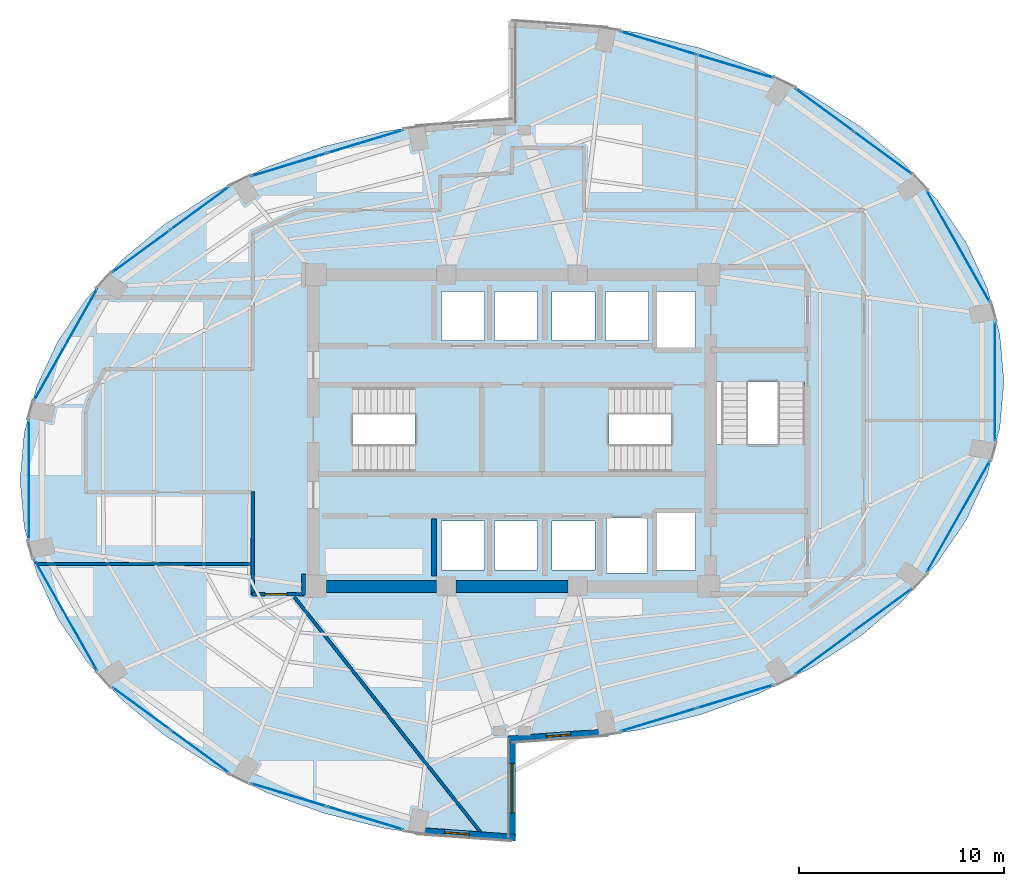
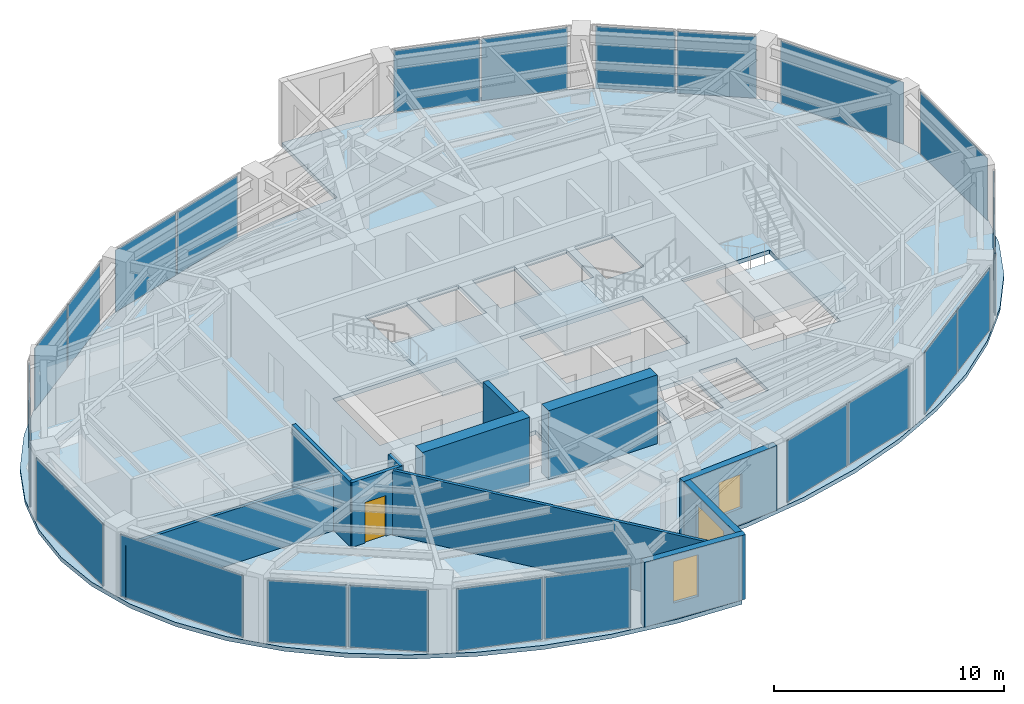
# One storey, part 15 of 20: 22 plates, 11 walls, 4 slabs, 3 windows, 1 door, 4 openings, 17 elements without a shape of their own.
"""IFC4 building model written with IfcOpenShell, lengths in metres."""

from ifc_helpers import new_model, si_unit, direction, frame, frame_2d, origin, origin_2d, place, context, subcontext, project, spatial, polyline, rectangle, outline, extrude, material, layer, layer_set, type_object, element, fill, aggregate, save


model = new_model("IFC4")

# Units and contexts
model_context = context("Model", 3, precision=1e-05, world=origin(), true_north=direction((0.0, 1.0)))
body_context = subcontext(model_context, "Body", "Model", "MODEL_VIEW")
ifc_project = project(units=[si_unit("LENGTHUNIT", "METRE"), si_unit("AREAUNIT", "SQUARE_METRE"), si_unit("VOLUMEUNIT", "CUBIC_METRE"), si_unit("PLANEANGLEUNIT", "RADIAN"), si_unit("MASSUNIT", "GRAM", prefix="KILO")], contexts=[model_context])

# Site, building, storey
site_placement = place(None, origin())
site = spatial("IfcSite", under=ifc_project, at=site_placement, CompositionType="ELEMENT")
building_placement = place(site_placement, origin())
building = spatial("IfcBuilding", under=site, at=building_placement, Name="Lazwardi Medical Tower", CompositionType="ELEMENT")
storey_placement = place(building_placement, frame((0.0, 0.0, 149.23193359375)))
storey = spatial("IfcBuildingStorey", under=building, at=storey_placement, Name="L38", CompositionType="ELEMENT", Elevation=149.23193359375)

# Curtain wall, plates
ifc_material_1 = material(Name="Anodised bronze aluminium and solar control glazing", Category="aluminium")
ifc_layer_1 = layer(ifc_material_1, 0.195068359375)
ifc_layer_set_1 = layer_set([ifc_layer_1], Name="Anodised bronze aluminium and solar control glazing")
curtain_wall_type = type_object("IfcCurtainWallType", Name="CW-SYS-03", PredefinedType="NOTDEFINED", material=ifc_layer_set_1)
curtain_wall_1_placement = place(storey_placement, origin())
curtain_wall_1 = element("IfcCurtainWall", 1, at=curtain_wall_1_placement, inside=storey, type_object=curtain_wall_type, Name="L38 Unitised bronze curtain wall CW-03", PredefinedType="NOTDEFINED")
ifc_material_2 = material(Name="Low-e bronze solar control double glazing", Category="glass")
ifc_layer_2 = layer(ifc_material_2, 0.035888671875)
ifc_layer_set_2 = layer_set([ifc_layer_2], Name="Low-e bronze solar control double glazing")
plate_type = type_object("IfcPlateType", Name="PLT-GLZ-01", PredefinedType="CURTAIN_PANEL", material=ifc_layer_set_2)
plate_1_placement = place(storey_placement, frame((43.1435546875, 13.8935546875, 0.0751953125), z_axis=(0.0, 0.0, 1.0), x_axis=(0.956941516292, 0.290280785441, 0.0)))
plate_1 = element("IfcPlate", 2, at=plate_1_placement, type_object=plate_type, Name="CW-03 panel 1.1", PredefinedType="CURTAIN_PANEL", context=body_context, shape_type="SweptSolid", body=[
    extrude(rectangle(XDim=3.83642578125, YDim=0.035888671875, at=origin_2d()), origin(), (0.0, 0.0, 1.0), 3.278076171875),
])
plate_2_placement = place(storey_placement, frame((46.88671875, 15.029052734375, 0.0751953125), z_axis=(0.0, 0.0, 1.0), x_axis=(0.956941516292, 0.290280785441, 0.0)))
plate_2 = element("IfcPlate", 3, at=plate_2_placement, type_object=plate_type, Name="CW-03 panel 2.1", PredefinedType="CURTAIN_PANEL", context=body_context, shape_type="SweptSolid", body=[
    extrude(rectangle(XDim=3.83642578125, YDim=0.035888671875, at=origin_2d()), origin(), (0.0, 0.0, 1.0), 3.278076171875),
])
aggregate(curtain_wall_1, [plate_1, plate_2])

curtain_wall_2_placement = place(storey_placement, origin())
curtain_wall_2 = element("IfcCurtainWall", 4, at=curtain_wall_2_placement, inside=storey, type_object=curtain_wall_type, Name="L38 Unitised bronze curtain wall CW-03", PredefinedType="NOTDEFINED")
plate_3_placement = place(storey_placement, frame((51.2265625, 17.153076171875, 0.0751953125), z_axis=(0.0, 0.0, 1.0), x_axis=(0.806793249082, 0.590833862635, 0.0)))
plate_3 = element("IfcPlate", 5, at=plate_3_placement, type_object=plate_type, Name="CW-03 panel 1.1", PredefinedType="CURTAIN_PANEL", context=body_context, shape_type="SweptSolid", body=[
    extrude(rectangle(XDim=3.472412109375, YDim=0.035888671875, at=origin_2d()), origin(), (0.0, 0.0, 1.0), 3.278076171875),
])
plate_4_placement = place(storey_placement, frame((54.088623046875, 19.2490234375, 0.0751953125), z_axis=(0.0, 0.0, 1.0), x_axis=(0.806793249082, 0.590833862635, 0.0)))
plate_4 = element("IfcPlate", 6, at=plate_4_placement, type_object=plate_type, Name="CW-03 panel 2.1", PredefinedType="CURTAIN_PANEL", context=body_context, shape_type="SweptSolid", body=[
    extrude(rectangle(XDim=3.472412109375, YDim=0.035888671875, at=origin_2d()), origin(), (0.0, 0.0, 1.0), 3.278076171875),
])
aggregate(curtain_wall_2, [plate_3, plate_4])

# Curtain wall, plate
curtain_wall_3_placement = place(storey_placement, origin())
curtain_wall_3 = element("IfcCurtainWall", 7, at=curtain_wall_3_placement, inside=storey, type_object=curtain_wall_type, Name="L38 Unitised bronze curtain wall CW-03", PredefinedType="NOTDEFINED")
plate_5_placement = place(storey_placement, frame((57.764404296875, 23.798095703125, 0.0751953125), z_axis=(0.0, 0.0, 1.0), x_axis=(0.492311672683, 0.870418989303, 0.0)))
plate_5 = element("IfcPlate", 8, at=plate_5_placement, type_object=plate_type, Name="CW-03 panel 1.1", PredefinedType="CURTAIN_PANEL", context=body_context, shape_type="SweptSolid", body=[
    extrude(rectangle(XDim=6.208740234375, YDim=0.035888671875, at=origin_2d()), origin(), (0.0, 0.0, 1.0), 3.278076171875),
])
aggregate(curtain_wall_3, [plate_5])

curtain_wall_4_placement = place(storey_placement, origin())
curtain_wall_4 = element("IfcCurtainWall", 9, at=curtain_wall_4_placement, inside=storey, type_object=curtain_wall_type, Name="L38 Unitised bronze curtain wall CW-03", PredefinedType="NOTDEFINED")
plate_6_placement = place(storey_placement, frame((59.5576171875, 30.39990234375, 0.0751953125), z_axis=(0.0, 0.0, 1.0), x_axis=(0.0, 1.0, 0.0)))
plate_6 = element("IfcPlate", 10, at=plate_6_placement, type_object=plate_type, Name="CW-03 panel 1.1", PredefinedType="CURTAIN_PANEL", context=body_context, shape_type="SweptSolid", body=[
    extrude(rectangle(XDim=5.8408203125, YDim=0.035888671875, at=origin_2d()), origin(), (0.0, 0.0, 1.0), 3.278076171875),
])
aggregate(curtain_wall_4, [plate_6])

curtain_wall_5_placement = place(storey_placement, origin())
curtain_wall_5 = element("IfcCurtainWall", 11, at=curtain_wall_5_placement, inside=storey, type_object=curtain_wall_type, Name="L38 Unitised bronze curtain wall CW-03", PredefinedType="NOTDEFINED")
plate_7_placement = place(storey_placement, frame((57.764404296875, 37.001953125, 0.0751953125), z_axis=(0.0, 0.0, 1.0), x_axis=(-0.492311672683, 0.870418989303, 0.0)))
plate_7 = element("IfcPlate", 12, at=plate_7_placement, type_object=plate_type, Name="CW-03 panel 1.1", PredefinedType="CURTAIN_PANEL", context=body_context, shape_type="SweptSolid", body=[
    extrude(rectangle(XDim=6.208740234375, YDim=0.035888671875, at=origin_2d()), origin(), (0.0, 0.0, 1.0), 3.278076171875),
])
aggregate(curtain_wall_5, [plate_7])

# Curtain wall, plates
curtain_wall_6_placement = place(storey_placement, origin())
curtain_wall_6 = element("IfcCurtainWall", 13, at=curtain_wall_6_placement, inside=storey, type_object=curtain_wall_type, Name="L38 Unitised bronze curtain wall CW-03", PredefinedType="NOTDEFINED")
plate_8_placement = place(storey_placement, frame((54.088623046875, 41.551025390625, 0.0751953125), z_axis=(0.0, 0.0, 1.0), x_axis=(-0.806793249082, 0.590833862635, 0.0)))
plate_8 = element("IfcPlate", 14, at=plate_8_placement, type_object=plate_type, Name="CW-03 panel 1.1", PredefinedType="CURTAIN_PANEL", context=body_context, shape_type="SweptSolid", body=[
    extrude(rectangle(XDim=3.472412109375, YDim=0.035888671875, at=origin_2d()), origin(), (0.0, 0.0, 1.0), 3.278076171875),
])
plate_9_placement = place(storey_placement, frame((51.2265625, 43.64697265625, 0.0751953125), z_axis=(0.0, 0.0, 1.0), x_axis=(-0.806793249082, 0.590833862635, 0.0)))
plate_9 = element("IfcPlate", 15, at=plate_9_placement, type_object=plate_type, Name="CW-03 panel 2.1", PredefinedType="CURTAIN_PANEL", context=body_context, shape_type="SweptSolid", body=[
    extrude(rectangle(XDim=3.472412109375, YDim=0.035888671875, at=origin_2d()), origin(), (0.0, 0.0, 1.0), 3.278076171875),
])
aggregate(curtain_wall_6, [plate_8, plate_9])

curtain_wall_7_placement = place(storey_placement, origin())
curtain_wall_7 = element("IfcCurtainWall", 16, at=curtain_wall_7_placement, inside=storey, type_object=curtain_wall_type, Name="L38 Unitised bronze curtain wall CW-03", PredefinedType="NOTDEFINED")
plate_10_placement = place(storey_placement, frame((46.88671875, 45.77099609375, 0.0751953125), z_axis=(0.0, 0.0, 1.0), x_axis=(-0.956941516292, 0.290280785441, 0.0)))
plate_10 = element("IfcPlate", 17, at=plate_10_placement, type_object=plate_type, Name="CW-03 panel 1.1", PredefinedType="CURTAIN_PANEL", context=body_context, shape_type="SweptSolid", body=[
    extrude(rectangle(XDim=3.83642578125, YDim=0.035888671875, at=origin_2d()), origin(), (0.0, 0.0, 1.0), 3.278076171875),
])
plate_11_placement = place(storey_placement, frame((43.1435546875, 46.906494140625, 0.0751953125), z_axis=(0.0, 0.0, 1.0), x_axis=(-0.956941516292, 0.290280785441, 0.0)))
plate_11 = element("IfcPlate", 18, at=plate_11_placement, type_object=plate_type, Name="CW-03 panel 2.1", PredefinedType="CURTAIN_PANEL", context=body_context, shape_type="SweptSolid", body=[
    extrude(rectangle(XDim=3.83642578125, YDim=0.035888671875, at=origin_2d()), origin(), (0.0, 0.0, 1.0), 3.278076171875),
])
aggregate(curtain_wall_7, [plate_10, plate_11])

curtain_wall_8_placement = place(storey_placement, origin())
curtain_wall_8 = element("IfcCurtainWall", 19, at=curtain_wall_8_placement, inside=storey, type_object=curtain_wall_type, Name="L38 Unitised bronze curtain wall CW-03", PredefinedType="NOTDEFINED")
plate_12_placement = place(storey_placement, frame((28.8564453125, 42.1064453125, 0.0751953125), z_axis=(0.0, 0.0, 1.0), x_axis=(-0.956941516292, -0.290280785441, 0.0)))
plate_12 = element("IfcPlate", 20, at=plate_12_placement, type_object=plate_type, Name="CW-03 panel 1.1", PredefinedType="CURTAIN_PANEL", context=body_context, shape_type="SweptSolid", body=[
    extrude(rectangle(XDim=3.83642578125, YDim=0.035888671875, at=origin_2d()), origin(), (0.0, 0.0, 1.0), 3.278076171875),
])
plate_13_placement = place(storey_placement, frame((25.11328125, 40.970947265625, 0.0751953125), z_axis=(0.0, 0.0, 1.0), x_axis=(-0.956941516292, -0.290280785441, 0.0)))
plate_13 = element("IfcPlate", 21, at=plate_13_placement, type_object=plate_type, Name="CW-03 panel 2.1", PredefinedType="CURTAIN_PANEL", context=body_context, shape_type="SweptSolid", body=[
    extrude(rectangle(XDim=3.83642578125, YDim=0.035888671875, at=origin_2d()), origin(), (0.0, 0.0, 1.0), 3.278076171875),
])
aggregate(curtain_wall_8, [plate_12, plate_13])

curtain_wall_9_placement = place(storey_placement, origin())
curtain_wall_9 = element("IfcCurtainWall", 22, at=curtain_wall_9_placement, inside=storey, type_object=curtain_wall_type, Name="L38 Unitised bronze curtain wall CW-03", PredefinedType="NOTDEFINED")
plate_14_placement = place(storey_placement, frame((20.7734375, 38.846923828125, 0.0751953125), z_axis=(0.0, 0.0, 1.0), x_axis=(-0.806793249082, -0.590833862635, 0.0)))
plate_14 = element("IfcPlate", 23, at=plate_14_placement, type_object=plate_type, Name="CW-03 panel 1.1", PredefinedType="CURTAIN_PANEL", context=body_context, shape_type="SweptSolid", body=[
    extrude(rectangle(XDim=3.472412109375, YDim=0.035888671875, at=origin_2d()), origin(), (0.0, 0.0, 1.0), 3.278076171875),
])
plate_15_placement = place(storey_placement, frame((17.911376953125, 36.7509765625, 0.0751953125), z_axis=(0.0, 0.0, 1.0), x_axis=(-0.806793249082, -0.590833862635, 0.0)))
plate_15 = element("IfcPlate", 24, at=plate_15_placement, type_object=plate_type, Name="CW-03 panel 2.1", PredefinedType="CURTAIN_PANEL", context=body_context, shape_type="SweptSolid", body=[
    extrude(rectangle(XDim=3.472412109375, YDim=0.035888671875, at=origin_2d()), origin(), (0.0, 0.0, 1.0), 3.278076171875),
])
aggregate(curtain_wall_9, [plate_14, plate_15])

# Curtain wall, plate
curtain_wall_10_placement = place(storey_placement, origin())
curtain_wall_10 = element("IfcCurtainWall", 25, at=curtain_wall_10_placement, inside=storey, type_object=curtain_wall_type, Name="L38 Unitised bronze curtain wall CW-03", PredefinedType="NOTDEFINED")
plate_16_placement = place(storey_placement, frame((14.235595703125, 32.201904296875, 0.0751953125), z_axis=(0.0, 0.0, 1.0), x_axis=(-0.492311672683, -0.870418989303, 0.0)))
plate_16 = element("IfcPlate", 26, at=plate_16_placement, type_object=plate_type, Name="CW-03 panel 1.1", PredefinedType="CURTAIN_PANEL", context=body_context, shape_type="SweptSolid", body=[
    extrude(rectangle(XDim=6.208740234375, YDim=0.035888671875, at=origin_2d()), origin(), (0.0, 0.0, 1.0), 3.278076171875),
])
aggregate(curtain_wall_10, [plate_16])

curtain_wall_11_placement = place(storey_placement, origin())
curtain_wall_11 = element("IfcCurtainWall", 27, at=curtain_wall_11_placement, inside=storey, type_object=curtain_wall_type, Name="L38 Unitised bronze curtain wall CW-03", PredefinedType="NOTDEFINED")
plate_17_placement = place(storey_placement, frame((12.4423828125, 25.60009765625, 0.0751953125), z_axis=(0.0, 0.0, 1.0), x_axis=(0.0, -1.0, 0.0)))
plate_17 = element("IfcPlate", 28, at=plate_17_placement, type_object=plate_type, Name="CW-03 panel 1.1", PredefinedType="CURTAIN_PANEL", context=body_context, shape_type="SweptSolid", body=[
    extrude(rectangle(XDim=5.8408203125, YDim=0.035888671875, at=origin_2d()), origin(), (0.0, 0.0, 1.0), 3.278076171875),
])
aggregate(curtain_wall_11, [plate_17])

curtain_wall_12_placement = place(storey_placement, origin())
curtain_wall_12 = element("IfcCurtainWall", 29, at=curtain_wall_12_placement, inside=storey, type_object=curtain_wall_type, Name="L38 Unitised bronze curtain wall CW-03", PredefinedType="NOTDEFINED")
plate_18_placement = place(storey_placement, frame((14.235595703125, 18.998046875, 0.0751953125), z_axis=(0.0, 0.0, 1.0), x_axis=(0.492311672683, -0.870418989303, 0.0)))
plate_18 = element("IfcPlate", 30, at=plate_18_placement, type_object=plate_type, Name="CW-03 panel 1.1", PredefinedType="CURTAIN_PANEL", context=body_context, shape_type="SweptSolid", body=[
    extrude(rectangle(XDim=6.208740234375, YDim=0.035888671875, at=origin_2d()), origin(), (0.0, 0.0, 1.0), 3.278076171875),
])
aggregate(curtain_wall_12, [plate_18])

# Curtain wall, plates
curtain_wall_13_placement = place(storey_placement, origin())
curtain_wall_13 = element("IfcCurtainWall", 31, at=curtain_wall_13_placement, inside=storey, type_object=curtain_wall_type, Name="L38 Unitised bronze curtain wall CW-03", PredefinedType="NOTDEFINED")
plate_19_placement = place(storey_placement, frame((17.911376953125, 14.448974609375, 0.0751953125), z_axis=(0.0, 0.0, 1.0), x_axis=(0.806793249082, -0.590833862635, 0.0)))
plate_19 = element("IfcPlate", 32, at=plate_19_placement, type_object=plate_type, Name="CW-03 panel 1.1", PredefinedType="CURTAIN_PANEL", context=body_context, shape_type="SweptSolid", body=[
    extrude(rectangle(XDim=3.472412109375, YDim=0.035888671875, at=origin_2d()), origin(), (0.0, 0.0, 1.0), 3.278076171875),
])
plate_20_placement = place(storey_placement, frame((20.7734375, 12.35302734375, 0.0751953125), z_axis=(0.0, 0.0, 1.0), x_axis=(0.806793249082, -0.590833862635, 0.0)))
plate_20 = element("IfcPlate", 33, at=plate_20_placement, type_object=plate_type, Name="CW-03 panel 2.1", PredefinedType="CURTAIN_PANEL", context=body_context, shape_type="SweptSolid", body=[
    extrude(rectangle(XDim=3.472412109375, YDim=0.035888671875, at=origin_2d()), origin(), (0.0, 0.0, 1.0), 3.278076171875),
])
aggregate(curtain_wall_13, [plate_19, plate_20])

curtain_wall_14_placement = place(storey_placement, origin())
curtain_wall_14 = element("IfcCurtainWall", 34, at=curtain_wall_14_placement, inside=storey, type_object=curtain_wall_type, Name="L38 Unitised bronze curtain wall CW-03", PredefinedType="NOTDEFINED")
plate_21_placement = place(storey_placement, frame((25.11328125, 10.22900390625, 0.0751953125), z_axis=(0.0, 0.0, 1.0), x_axis=(0.956941516292, -0.290280785441, 0.0)))
plate_21 = element("IfcPlate", 35, at=plate_21_placement, type_object=plate_type, Name="CW-03 panel 1.1", PredefinedType="CURTAIN_PANEL", context=body_context, shape_type="SweptSolid", body=[
    extrude(rectangle(XDim=3.83642578125, YDim=0.035888671875, at=origin_2d()), origin(), (0.0, 0.0, 1.0), 3.278076171875),
])
plate_22_placement = place(storey_placement, frame((28.8564453125, 9.093505859375, 0.0751953125), z_axis=(0.0, 0.0, 1.0), x_axis=(0.956941516292, -0.290280785441, 0.0)))
plate_22 = element("IfcPlate", 36, at=plate_22_placement, type_object=plate_type, Name="CW-03 panel 2.1", PredefinedType="CURTAIN_PANEL", context=body_context, shape_type="SweptSolid", body=[
    extrude(rectangle(XDim=3.83642578125, YDim=0.035888671875, at=origin_2d()), origin(), (0.0, 0.0, 1.0), 3.278076171875),
])
aggregate(curtain_wall_14, [plate_21, plate_22])

# Stair, slab
ifc_material_3 = material(Name="Concrete C45/55", Category="concrete")
stair_type = type_object("IfcStairType", Name="STR-WRD", PredefinedType="HALF_TURN_STAIR", material=ifc_material_3)
stair_1_placement = place(storey_placement, origin())
stair_1 = element("IfcStair", 37, at=stair_1_placement, inside=storey, type_object=stair_type, Name="L38 Protected Exit Stair ST1", PredefinedType="HALF_TURN_STAIR")
ifc_layer_3 = layer(ifc_material_3, 0.199951171875)
ifc_layer_set_3 = layer_set([ifc_layer_3], Name="Concrete C45/55")
slab_type_1 = type_object("IfcSlabType", Name="SLB-LND-190", PredefinedType="LANDING", material=ifc_layer_set_3)
slab_1_placement = place(storey_placement, frame((0.0, 0.0, 1.6240234375)))
slab_1 = element("IfcSlab", 38, at=slab_1_placement, type_object=slab_type_1, Name="ST1 landing 1", PredefinedType="LANDING", context=body_context, shape_type="SweptSolid", body=[
    extrude(outline(polyline([(31.27490234375, 25.840087890625), (34.580078125, 25.840087890625), (34.580078125, 30.280029296875), (31.27490234375, 30.280029296875), (31.27490234375, 25.840087890625)])), origin(), (0.0, 0.0, 1.0), 0.199951171875),
])
aggregate(stair_1, [slab_1])

stair_2_placement = place(storey_placement, origin())
stair_2 = element("IfcStair", 39, at=stair_2_placement, inside=storey, type_object=stair_type, Name="L38 Protected Exit Stair ST2", PredefinedType="HALF_TURN_STAIR")
slab_2_placement = place(storey_placement, frame((0.0, 0.0, 1.6240234375)))
slab_2 = element("IfcSlab", 40, at=slab_2_placement, type_object=slab_type_1, Name="ST2 landing 1", PredefinedType="LANDING", context=body_context, shape_type="SweptSolid", body=[
    extrude(outline(polyline([(40.72509765625, 30.280029296875), (37.419921875, 30.280029296875), (37.419921875, 25.840087890625), (40.72509765625, 25.840087890625), (40.72509765625, 30.280029296875)])), origin(), (0.0, 0.0, 1.0), 0.199951171875),
])
aggregate(stair_2, [slab_2])

stair_3_placement = place(storey_placement, origin())
stair_3 = element("IfcStair", 41, at=stair_3_placement, inside=storey, type_object=stair_type, Name="L38 Protected Exit Stair ST3", PredefinedType="HALF_TURN_STAIR")
slab_3_placement = place(storey_placement, frame((0.0, 0.0, 1.6240234375)))
slab_3 = element("IfcSlab", 42, at=slab_3_placement, type_object=slab_type_1, Name="ST3 landing 1", PredefinedType="LANDING", context=body_context, shape_type="SweptSolid", body=[
    extrude(outline(polyline([(45.860107421875, 27.324951171875), (45.860107421875, 24.02001953125), (50.4599609375, 24.02001953125), (50.4599609375, 27.324951171875), (45.860107421875, 27.324951171875)])), origin(), (0.0, 0.0, 1.0), 0.199951171875),
])
aggregate(stair_3, [slab_3])

# Slab
ifc_material_4 = material(Name="Concrete C50/60", Category="concrete")
ifc_layer_4 = layer(ifc_material_4, 0.219970703125)
ifc_layer_set_4 = layer_set([ifc_layer_4], Name="Concrete C50/60")
slab_type_2 = type_object("IfcSlabType", Name="SLB-WRD-220", PredefinedType="FLOOR", material=ifc_layer_set_4)
slab_4_placement = place(storey_placement, frame((0.0, 0.0, -0.219970703125)))
element("IfcSlab", 43, at=slab_4_placement, inside=storey, type_object=slab_type_2, Name="Structural floor slab SF-03 L38", PredefinedType="FLOOR", context=body_context, shape_type="SweptSolid", body=[
    extrude(outline(polyline([(12.205322265625, 23.302734375), (12.81787109375, 21.044921875), (13.826904296875, 18.86474609375), (15.21533203125, 16.800048828125), (16.95947265625, 14.8857421875), (19.029296875, 13.15478515625), (21.3896484375, 11.636962890625), (24.0, 10.35791015625), (26.815673828125, 9.339599609375), (29.788330078125, 8.599609375), (32.867431640625, 8.150634765625), (36.0, 8.0), (36.0, 12.800048828125), (39.132568359375, 12.95068359375), (42.211669921875, 13.399658203125), (45.184326171875, 14.1396484375), (48.0, 15.157958984375), (50.6103515625, 16.43701171875), (52.970703125, 17.954833984375), (55.04052734375, 19.685791015625), (56.78466796875, 21.60009765625), (58.173095703125, 23.664794921875), (59.18212890625, 25.8447265625), (59.794677734375, 28.102783203125), (60.0, 30.39990234375), (59.794677734375, 32.697265625), (59.18212890625, 34.955078125), (58.173095703125, 37.13525390625), (56.78466796875, 39.199951171875), (55.04052734375, 41.1142578125), (52.970703125, 42.84521484375), (50.6103515625, 44.363037109375), (48.0, 45.64208984375), (45.184326171875, 46.660400390625), (42.211669921875, 47.400390625), (39.132568359375, 47.849365234375), (36.0, 48.0), (36.0, 43.199951171875), (32.867431640625, 43.04931640625), (29.788330078125, 42.600341796875), (26.815673828125, 41.8603515625), (24.0, 40.842041015625), (21.3896484375, 39.56298828125), (19.029296875, 38.045166015625), (16.95947265625, 36.314208984375), (15.21533203125, 34.39990234375), (13.826904296875, 32.335205078125), (12.81787109375, 30.1552734375), (12.205322265625, 27.897216796875), (12.0, 25.60009765625), (12.205322265625, 23.302734375)]), holes=[polyline([(28.22509765625, 26.02001953125), (28.22509765625, 30.10009765625), (34.39990234375, 30.10009765625), (34.39990234375, 26.02001953125), (28.22509765625, 26.02001953125)]), polyline([(37.60009765625, 30.10009765625), (43.77490234375, 30.10009765625), (43.77490234375, 26.02001953125), (37.60009765625, 26.02001953125), (37.60009765625, 30.10009765625)]), polyline([(50.280029296875, 30.375), (50.280029296875, 24.179931640625), (45.840087890625, 24.179931640625), (45.840087890625, 30.375), (50.280029296875, 30.375)]), polyline([(34.64990234375, 32.39990234375), (32.550048828125, 32.39990234375), (32.550048828125, 34.800048828125), (34.64990234375, 34.800048828125), (34.64990234375, 32.39990234375)]), polyline([(35.14990234375, 32.39990234375), (35.14990234375, 34.800048828125), (37.25, 34.800048828125), (37.25, 32.39990234375), (35.14990234375, 32.39990234375)]), polyline([(32.550048828125, 23.60009765625), (34.64990234375, 23.60009765625), (34.64990234375, 21.199951171875), (32.550048828125, 21.199951171875), (32.550048828125, 23.60009765625)]), polyline([(37.25, 23.60009765625), (37.25, 21.199951171875), (35.14990234375, 21.199951171875), (35.14990234375, 23.60009765625), (37.25, 23.60009765625)]), polyline([(40.050048828125, 32.39990234375), (37.949951171875, 32.39990234375), (37.949951171875, 34.800048828125), (40.050048828125, 34.800048828125), (40.050048828125, 32.39990234375)]), polyline([(40.550048828125, 32.39990234375), (40.550048828125, 34.800048828125), (42.64990234375, 34.800048828125), (42.64990234375, 32.39990234375), (40.550048828125, 32.39990234375)]), polyline([(37.949951171875, 23.60009765625), (40.050048828125, 23.60009765625), (40.050048828125, 21.199951171875), (37.949951171875, 21.199951171875), (37.949951171875, 23.60009765625)]), polyline([(44.949951171875, 34.800048828125), (44.949951171875, 32.0), (43.050048828125, 32.0), (43.050048828125, 34.800048828125), (44.949951171875, 34.800048828125)]), polyline([(44.949951171875, 21.199951171875), (43.050048828125, 21.199951171875), (43.050048828125, 24.0), (44.949951171875, 24.0), (44.949951171875, 21.199951171875)]), polyline([(40.60009765625, 21.050048828125), (40.60009765625, 23.75), (42.60009765625, 23.75), (42.60009765625, 21.050048828125), (40.60009765625, 21.050048828125)])]), origin(), (0.0, 0.0, 1.0), 0.219970703125),
])

# Wall
ifc_material_5 = material(Name="Fire-rated gypsum board on steel stud", Category="steel")
ifc_layer_5 = layer(ifc_material_5, 0.179931640625)
ifc_layer_set_5 = layer_set([ifc_layer_5], Name="Fire-rated gypsum board on steel stud")
wall_type_1 = type_object("IfcWallType", Name="WL-COR-180", PredefinedType="PARTITIONING", material=ifc_layer_set_5)
wall_1_placement = place(storey_placement, frame((25.830078125, 21.010009765625, 0.0), z_axis=(0.0, 0.0, 1.0), x_axis=(0.0, -1.0, 0.0)))
element("IfcWall", 44, at=wall_1_placement, inside=storey, type_object=wall_type_1, Name="L38 Corridor partition 16", PredefinedType="PARTITIONING", context=body_context, shape_type="SweptSolid", body=[
    extrude(rectangle(XDim=1.030029296875, YDim=0.179931640625, at=frame_2d((0.51513671875, 0.0))), origin(), (0.0, 0.0, 1.0), 3.427978515625),
])

# Wall, opening, door
wall_2_placement = place(storey_placement, frame((25.8701171875, 20.02001953125, 0.0), z_axis=(0.0, 0.0, 1.0), x_axis=(-1.0, 0.0, 0.0)))
wall_2 = element("IfcWall", 45, at=wall_2_placement, inside=storey, type_object=wall_type_1, Name="L38 Corridor partition 17", PredefinedType="PARTITIONING", context=body_context, shape_type="SweptSolid", body=[
    extrude(rectangle(XDim=2.56005859375, YDim=0.179931640625, at=frame_2d((1.280029296875, 0.0))), origin(), (0.0, 0.0, 1.0), 3.427978515625),
])
opening_1_placement = place(wall_2_placement, frame((0.85791015625, 0.0, 0.0)))
opening_1 = element("IfcOpeningElement", 46, at=opening_1_placement, cuts=wall_2, Name="Opening D-L38-009", PredefinedType="OPENING", context=body_context, shape_type="SweptSolid", body=[
    extrude(rectangle(XDim=1.050048828125, YDim=2.14990234375, at=frame_2d((0.52490234375, 1.074951171875))), frame((0.0, 0.099853515625, 0.0), z_axis=(0.0, -1.0, 0.0), x_axis=(1.0, 0.0, 0.0)), (0.0, 0.0, 1.0), 0.199951171875),
])
ifc_material_6 = material(Name="Anti-microbial laminate hospital leaf")
door_type = type_object("IfcDoorType", Name="DR-CLN-1050", OperationType="NOTDEFINED", PredefinedType="DOOR", material=ifc_material_6)
door_placement = place(opening_1_placement, origin())
door = element("IfcDoor", 47, at=door_placement, inside=storey, type_object=door_type, Name="L38 Medical Duty Staff Room Door 02", OperationType="SINGLE_SWING_LEFT", OverallHeight=2.14990234375, OverallWidth=1.050048828125, PredefinedType="DOOR", context=body_context, shape_type="SweptSolid", body=[
    extrude(rectangle(XDim=1.050048828125, YDim=2.14990234375, at=frame_2d((0.52490234375, 1.074951171875))), frame((0.0, 0.02490234375, 0.0), z_axis=(0.0, -1.0, 0.0), x_axis=(1.0, 0.0, 0.0)), (0.0, 0.0, 1.0), 0.050048828125),
])
fill(opening_1, door)

# Walls
wall_3_placement = place(storey_placement, frame((23.35009765625, 19.97998046875, 0.0), z_axis=(0.0, 0.0, 1.0), x_axis=(0.0, 1.0, 0.0)))
element("IfcWall", 48, at=wall_3_placement, inside=storey, type_object=wall_type_1, Name="L38 Corridor partition 18", PredefinedType="PARTITIONING", context=body_context, shape_type="SweptSolid", body=[
    extrude(rectangle(XDim=5.06005859375, YDim=0.179931640625, at=frame_2d((2.530029296875, 0.0))), origin(), (0.0, 0.0, 1.0), 3.427978515625),
])
ifc_material_7 = material(Name="Concrete C60/75", Category="concrete")
ifc_layer_6 = layer(ifc_material_7, 0.60009765625)
ifc_layer_set_6 = layer_set([ifc_layer_6], Name="Concrete C60/75")
wall_type_2 = type_object("IfcWallType", Name="WL-CORE-600", PredefinedType="SHEAR", material=ifc_layer_set_6)
wall_4_placement = place(storey_placement, frame((26.949951171875, 20.39990234375, 0.0), z_axis=(0.0, 0.0, 1.0), x_axis=(1.0, 0.0, 0.0)))
element("IfcWall", 49, at=wall_4_placement, inside=storey, type_object=wall_type_2, Name="Core wall CW-S3 S1 L38", PredefinedType="SHEAR", context=body_context, shape_type="SweptSolid", body=[
    extrude(rectangle(XDim=5.375, YDim=0.60009765625, at=frame_2d((2.6875, 0.0))), origin(), (0.0, 0.0, 1.0), 3.64794921875),
])
wall_5_placement = place(storey_placement, frame((33.27490234375, 20.39990234375, 0.0), z_axis=(0.0, 0.0, 1.0), x_axis=(1.0, 0.0, 0.0)))
element("IfcWall", 50, at=wall_5_placement, inside=storey, type_object=wall_type_2, Name="Core wall CW-S3 S2 L38", PredefinedType="SHEAR", context=body_context, shape_type="SweptSolid", body=[
    extrude(rectangle(XDim=5.4501953125, YDim=0.60009765625, at=frame_2d((2.72509765625, 0.0))), origin(), (0.0, 0.0, 1.0), 3.64794921875),
])

# Wall, opening, window
ifc_material_8 = material(Name="Precast concrete C45/55", Category="concrete")
ifc_layer_7 = layer(ifc_material_8, 0.320068359375)
ifc_layer_set_7 = layer_set([ifc_layer_7], Name="Precast concrete C45/55")
wall_type_3 = type_object("IfcWallType", Name="WL-IWAN-320", PredefinedType="SOLIDWALL", material=ifc_layer_set_7)
wall_6_placement = place(storey_placement, frame((35.820556640625, 12.947021484375, 0.0), z_axis=(0.0, 0.0, 1.0), x_axis=(0.997415460462, 0.071849838072, 0.0)))
wall_6 = element("IfcWall", 51, at=wall_6_placement, inside=storey, type_object=wall_type_3, Name="L38 Iwan Portal Return Wall SE_ret", PredefinedType="SOLIDWALL", context=body_context, shape_type="SweptSolid", body=[
    extrude(rectangle(XDim=4.89306640625, YDim=0.320068359375, at=frame_2d((2.446533203125, 0.0))), origin(), (0.0, 0.0, 1.0), 3.427978515625),
])
opening_2_placement = place(wall_6_placement, frame((1.846435546875, 0.0, 0.85009765625)))
opening_2 = element("IfcOpeningElement", 52, at=opening_2_placement, cuts=wall_6, Name="Opening WN-04", PredefinedType="OPENING", context=body_context, shape_type="SweptSolid", body=[
    extrude(rectangle(XDim=1.199951171875, YDim=1.800048828125, at=frame_2d((0.60009765625, 0.89990234375))), frame((0.0, 0.169921875, 0.0), z_axis=(0.0, -1.0, 0.0), x_axis=(1.0, 0.0, 0.0)), (0.0, 0.0, 1.0), 0.340087890625),
])
window_type_1 = type_object("IfcWindowType", Name="WIN-DRUM-1200", PartitioningType="SINGLE_PANEL", PredefinedType="WINDOW", material=ifc_material_2)
window_1_placement = place(opening_2_placement, origin())
window_1 = element("IfcWindow", 53, at=window_1_placement, inside=storey, type_object=window_type_1, Name="L38 Iwan Slot Window SE_ret", OverallHeight=1.800048828125, OverallWidth=1.199951171875, PartitioningType="SINGLE_PANEL", PredefinedType="WINDOW", context=body_context, shape_type="SweptSolid", body=[
    extrude(rectangle(XDim=1.199951171875, YDim=1.800048828125, at=frame_2d((0.60009765625, 0.89990234375))), frame((0.0, 0.030029296875, 0.0), z_axis=(0.0, -1.0, 0.0), x_axis=(1.0, 0.0, 0.0)), (0.0, 0.0, 1.0), 0.06005859375),
])
fill(opening_2, window_1)

wall_7_placement = place(storey_placement, frame((31.299072265625, 8.498779296875, 0.0), z_axis=(0.0, 0.0, 1.0), x_axis=(0.997415202861, -0.071853413984, 0.0)))
wall_7 = element("IfcWall", 54, at=wall_7_placement, inside=storey, type_object=wall_type_3, Name="L38 Iwan Portal Return Wall SW_ret", PredefinedType="SOLIDWALL", context=body_context, shape_type="SweptSolid", body=[
    extrude(rectangle(XDim=4.892822265625, YDim=0.320068359375, at=frame_2d((2.4462890625, 0.0))), origin(), (0.0, 0.0, 1.0), 3.427978515625),
])
opening_3_placement = place(wall_7_placement, frame((1.4150390625, 0.0, 0.85009765625)))
opening_3 = element("IfcOpeningElement", 55, at=opening_3_placement, cuts=wall_7, Name="Opening WN-01", PredefinedType="OPENING", context=body_context, shape_type="SweptSolid", body=[
    extrude(rectangle(XDim=1.199951171875, YDim=2.199951171875, at=frame_2d((0.60009765625, 1.10009765625))), frame((0.0, 0.169921875, 0.0), z_axis=(0.0, -1.0, 0.0), x_axis=(1.0, 0.0, 0.0)), (0.0, 0.0, 1.0), 0.340087890625),
])
window_type_2 = type_object("IfcWindowType", Name="WIN-IW-1200", PartitioningType="SINGLE_PANEL", PredefinedType="WINDOW", material=ifc_material_2)
window_2_placement = place(opening_3_placement, origin())
window_2 = element("IfcWindow", 56, at=window_2_placement, inside=storey, type_object=window_type_2, Name="L38 Iwan Slot Window SW_ret", OverallHeight=2.199951171875, OverallWidth=1.199951171875, PartitioningType="SINGLE_PANEL", PredefinedType="WINDOW", context=body_context, shape_type="SweptSolid", body=[
    extrude(rectangle(XDim=1.199951171875, YDim=2.199951171875, at=frame_2d((0.60009765625, 1.10009765625))), frame((0.0, 0.030029296875, 0.0), z_axis=(0.0, -1.0, 0.0), x_axis=(1.0, 0.0, 0.0)), (0.0, 0.0, 1.0), 0.06005859375),
])
fill(opening_3, window_2)

wall_8_placement = place(storey_placement, frame((36.0, 8.0, 0.0), z_axis=(0.0, 0.0, 1.0), x_axis=(0.0, 1.0, 0.0)))
wall_8 = element("IfcWall", 57, at=wall_8_placement, inside=storey, type_object=wall_type_3, Name="L38 Turquoise Tilework Iwan Seam Wall S_seam", PredefinedType="SOLIDWALL", context=body_context, shape_type="SweptSolid", body=[
    extrude(rectangle(XDim=5.1201171875, YDim=0.320068359375, at=frame_2d((2.56005859375, 0.0))), origin(), (0.0, 0.0, 1.0), 3.427978515625),
])
opening_4_placement = place(wall_8_placement, frame((1.360107421875, 0.0, 0.840087890625)))
opening_4 = element("IfcOpeningElement", 58, at=opening_4_placement, cuts=wall_8, Name="Opening WN-02", PredefinedType="OPENING", context=body_context, shape_type="SweptSolid", body=[
    extrude(rectangle(XDim=2.39990234375, YDim=2.0400390625, at=frame_2d((1.199951171875, 1.02001953125))), frame((0.0, 0.169921875, 0.0), z_axis=(0.0, -1.0, 0.0), x_axis=(1.0, 0.0, 0.0)), (0.0, 0.0, 1.0), 0.340087890625),
])
window_type_3 = type_object("IfcWindowType", Name="WIN-IW-2400", PartitioningType="SINGLE_PANEL", PredefinedType="WINDOW", material=ifc_material_2)
window_3_placement = place(opening_4_placement, origin())
window_3 = element("IfcWindow", 59, at=window_3_placement, inside=storey, type_object=window_type_3, Name="L38 Iwan Seam Window S_seam", OverallHeight=2.0400390625, OverallWidth=2.39990234375, PartitioningType="SINGLE_PANEL", PredefinedType="WINDOW", context=body_context, shape_type="SweptSolid", body=[
    extrude(rectangle(XDim=2.39990234375, YDim=2.0400390625, at=frame_2d((1.199951171875, 1.02001953125))), frame((0.0, 0.030029296875, 0.0), z_axis=(0.0, -1.0, 0.0), x_axis=(1.0, 0.0, 0.0)), (0.0, 0.0, 1.0), 0.06005859375),
])
fill(opening_4, window_3)

# Walls
ifc_material_9 = material(Name="Autoclaved aerated concrete blockwork", Category="masonry")
ifc_layer_8 = layer(ifc_material_9, 0.25)
ifc_layer_set_8 = layer_set([ifc_layer_8], Name="Autoclaved aerated concrete blockwork")
wall_type_4 = type_object("IfcWallType", Name="WL-SHAFT-250", PredefinedType="SOLIDWALL", material=ifc_layer_set_8)
wall_9_placement = place(storey_placement, frame((32.199951171875, 20.89990234375, 0.0), z_axis=(0.0, 0.0, 1.0), x_axis=(0.0, 1.0, 0.0)))
element("IfcWall", 60, at=wall_9_placement, inside=storey, type_object=wall_type_4, Name="L38 South hoistway divider", PredefinedType="SOLIDWALL", context=body_context, shape_type="SweptSolid", body=[
    extrude(rectangle(XDim=2.800048828125, YDim=0.25, at=frame_2d((1.39990234375, 0.0))), origin(), (0.0, 0.0, 1.0), 3.427978515625),
])
ifc_material_10 = material(Name="Acoustic gypsum board partition")
ifc_layer_9 = layer(ifc_material_10, 0.14990234375)
ifc_layer_set_9 = layer_set([ifc_layer_9], Name="Acoustic gypsum board partition")
wall_type_5 = type_object("IfcWallType", Name="WL-WRD-150", PredefinedType="PARTITIONING", material=ifc_layer_set_9)
wall_10_placement = place(storey_placement, frame((12.828857421875, 21.5, 0.0), z_axis=(0.0, 0.0, 1.0), x_axis=(1.0, 0.0, 0.0)))
element("IfcWall", 61, at=wall_10_placement, inside=storey, type_object=wall_type_5, Name="L38 Room partition 1", PredefinedType="PARTITIONING", context=body_context, shape_type="SweptSolid", body=[
    extrude(rectangle(XDim=10.43115234375, YDim=0.14990234375, at=frame_2d((5.215576171875, 0.0))), origin(), (0.0, 0.0, 1.0), 2.863037109375),
])
wall_11_placement = place(storey_placement, frame((25.3720703125, 19.8984375, 0.0), z_axis=(0.0, 0.0, 1.0), x_axis=(0.620699148788, -0.784048829279, 0.0)))
element("IfcWall", 62, at=wall_11_placement, inside=storey, type_object=wall_type_5, Name="L38 Room partition 5", PredefinedType="PARTITIONING", context=body_context, shape_type="SweptSolid", body=[
    extrude(rectangle(XDim=14.827880859375, YDim=0.14990234375, at=frame_2d((7.4140625, 0.0))), origin(), (0.0, 0.0, 1.0), 3.427978515625),
])

save(model, "model.ifc")
